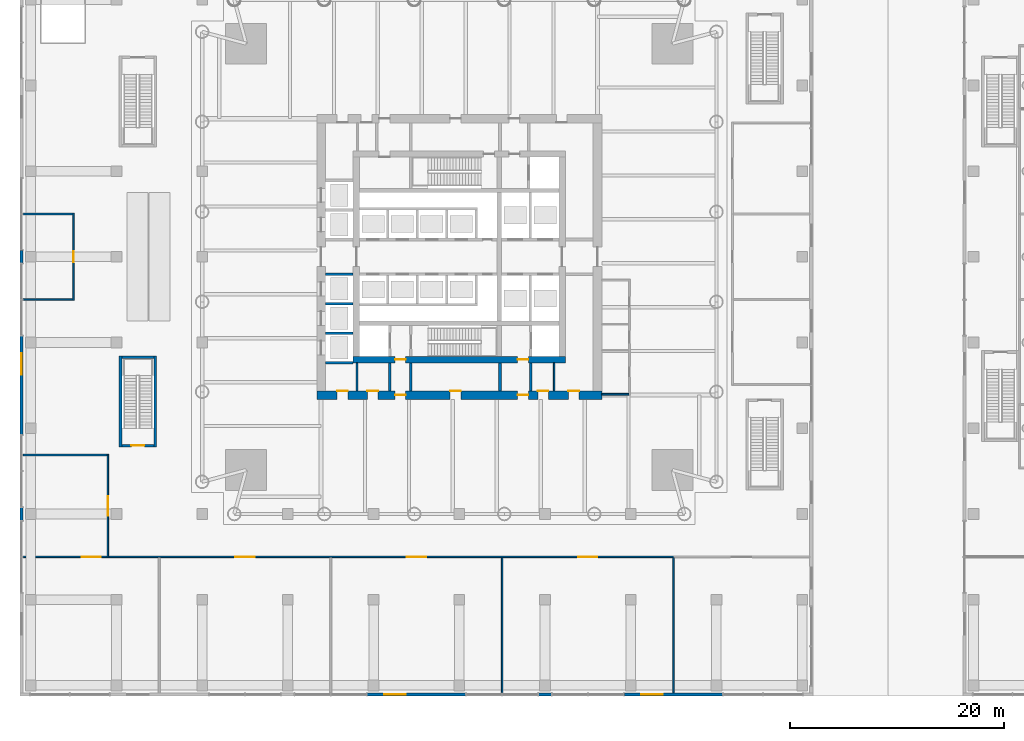
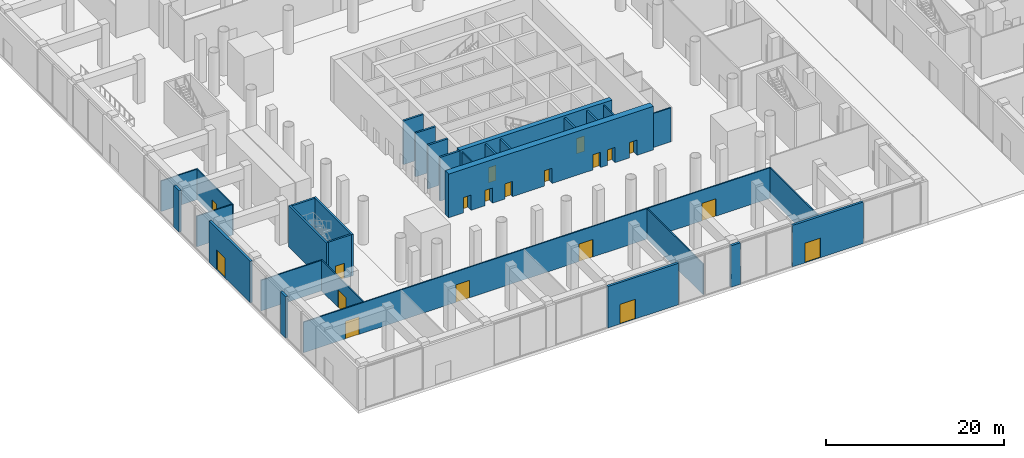
# One storey, part 24 of 39: 31 walls, 19 doors, 19 openings.
"""IFC4 building model written with IfcOpenShell, lengths in metres."""

import ifcopenshell
import ifcopenshell.guid

model = None  # the IFC model being written
_history = None  # IfcOwnerHistory: only IFC2X3 demands one
_inside = {}  # id of a spatial element -> (the spatial element, [elements in it])
_under = {}  # id of a project, library or spatial element -> (it, [spatial elements below it])
_declared = {}  # id of a project -> (the project, [libraries it declares])
_typed = {}  # id of a type object -> (the type object, [elements of that type])
_made_of = {}  # id of a material, layer set ... -> (it, [elements and type objects made of it])


def new_model(schema):
    """Start an empty IFC model of exactly this schema.

    Asked for "IFC4X3", IfcOpenShell would pick the latest addendum, in which some entities
    have other attributes; the version numbers below select the first issue.
    IFC2X3 requires an IfcOwnerHistory on every rooted entity: one is made here for all.
    """
    global model, _history
    if schema == "IFC4X3":
        model = ifcopenshell.file(schema_version=(4, 3, 0, 0))
    else:
        model = ifcopenshell.file(schema=schema)
    _inside.clear()
    _under.clear()
    _declared.clear()
    _typed.clear()
    _made_of.clear()
    _history = None
    if model.schema == "IFC2X3":
        org = make("IfcOrganization", Name="unknown")
        user = make(
            "IfcPersonAndOrganization",
            ThePerson=make("IfcPerson", FamilyName="unknown"),
            TheOrganization=org,
        )
        app = make(
            "IfcApplication",
            ApplicationDeveloper=org,
            Version="unknown",
            ApplicationFullName="unknown",
            ApplicationIdentifier="unknown",
        )
        _history = make(
            "IfcOwnerHistory",
            OwningUser=user,
            OwningApplication=app,
            ChangeAction="ADDED",
            CreationDate=0,
        )
    return model


def make(cls, **values):
    """One entity of the class cls with the attributes given. An attribute that is None is left unset."""
    return model.create_entity(
        cls, **{name: value for name, value in values.items() if value is not None}
    )


def rooted(cls, **values):
    """An entity with a GlobalId (a new one), such as an element, a storey or a relation."""
    return make(cls, GlobalId=ifcopenshell.guid.new(), OwnerHistory=_history, **values)


def si_unit(unit_type, name, prefix=None):
    """IfcSIUnit, for example si_unit("LENGTHUNIT", "METRE", prefix="MILLI")."""
    return make("IfcSIUnit", UnitType=unit_type, Prefix=prefix, Name=name)


def assignment(units):
    """IfcUnitAssignment: the units of a project."""
    return None if units is None else make("IfcUnitAssignment", Units=units)


def point(xyz):
    """IfcCartesianPoint."""
    return None if xyz is None else make("IfcCartesianPoint", Coordinates=xyz)


def direction(xyz):
    """IfcDirection."""
    return None if xyz is None else make("IfcDirection", DirectionRatios=xyz)


def frame(location, z_axis=None, x_axis=None):
    """IfcAxis2Placement3D, a coordinate frame: its origin and axes. An axis left out is left unset."""
    return make(
        "IfcAxis2Placement3D",
        Location=point(location),
        Axis=direction(z_axis),
        RefDirection=direction(x_axis),
    )


def frame_2d(location, x_axis=None):
    """IfcAxis2Placement2D, a coordinate frame in the plane: its origin and x axis."""
    return make(
        "IfcAxis2Placement2D", Location=point(location), RefDirection=direction(x_axis)
    )


def origin():
    """The frame at (0, 0, 0) with its axes left unset."""
    return frame((0.0, 0.0, 0.0))


def place(relative_to, where):
    """IfcLocalPlacement: puts the frame where relative to a parent placement (None: the world)."""
    return make(
        "IfcLocalPlacement", PlacementRelTo=relative_to, RelativePlacement=where
    )


def context(
    kind, dimensions, precision=None, world=None, true_north=None, identifier=None
):
    """IfcGeometricRepresentationContext, for example the 3D "Model" context."""
    return make(
        "IfcGeometricRepresentationContext",
        ContextIdentifier=identifier,
        ContextType=kind,
        CoordinateSpaceDimension=dimensions,
        Precision=precision,
        WorldCoordinateSystem=world,
        TrueNorth=true_north,
    )


def subcontext(parent, identifier, kind, view, scale=None):
    """IfcGeometricRepresentationSubContext, for example "Body" below "Model"."""
    return make(
        "IfcGeometricRepresentationSubContext",
        ContextIdentifier=identifier,
        ContextType=kind,
        ParentContext=parent,
        TargetScale=scale,
        TargetView=view,
    )


def project(units=None, contexts=None):
    """IfcProject with its units and contexts."""
    return rooted(
        "IfcProject",
        Name="project",
        RepresentationContexts=contexts,
        UnitsInContext=assignment(units),
    )


def spatial(cls, under=None, at=None, **own):
    """A site, building, storey or space (cls), placed at a placement, below another one or the project."""
    s = rooted(cls, ObjectPlacement=at, **own)
    if under is not None:
        _under.setdefault(under.id(), (under, []))[1].append(s)
    return s


def profile(cls, at=None, kind="AREA", **sizes):
    """A parametric profile (cls). Its sizes go by their IFC names, for example OverallWidth=200.0."""
    return make(cls, ProfileType=kind, Position=at, **sizes)


def rectangle(**sizes):
    """IfcRectangleProfileDef."""
    return profile("IfcRectangleProfileDef", **sizes)


def extrude(swept, where, along, depth):
    """IfcExtrudedAreaSolid: the profile swept, set in the frame where, extruded along a direction by depth."""
    return make(
        "IfcExtrudedAreaSolid",
        SweptArea=swept,
        Position=where,
        ExtrudedDirection=direction(along),
        Depth=depth,
    )


def shape(context_of_items, identifier, shape_type, items):
    """IfcShapeRepresentation: the items that make up one representation, for example the "Body"."""
    return make(
        "IfcShapeRepresentation",
        ContextOfItems=context_of_items,
        RepresentationIdentifier=identifier,
        RepresentationType=shape_type,
        Items=items,
    )


def material(Name=None, Category=None):
    """IfcMaterial."""
    return make("IfcMaterial", Name=Name, Category=Category)


def layer(
    of_material, thickness, ventilated=None, Name=None, Category=None, Priority=None
):
    """IfcMaterialLayer: one layer of a wall or slab, of a material (None: an air gap)."""
    return make(
        "IfcMaterialLayer",
        Material=of_material,
        LayerThickness=thickness,
        IsVentilated=ventilated,
        Name=Name,
        Category=Category,
        Priority=Priority,
    )


def layer_set(layers, Name=None):
    """IfcMaterialLayerSet."""
    return make("IfcMaterialLayerSet", MaterialLayers=layers, LayerSetName=Name)


def made_of(thing, what):
    """Note that an element or type object is made of a material, layer set ...; save() writes the relation."""
    if what is not None:
        _made_of.setdefault(what.id(), (what, []))[1].append(thing)
    return thing


def type_object(cls, material=None, **own):
    """A type object (cls), such as IfcWallType, which elements share."""
    return made_of(rooted(cls, **own), material)


def element(
    cls,
    number,
    at=None,
    inside=None,
    cuts=None,
    type_object=None,
    material=None,
    context=None,
    identifier="Body",
    shape_type=None,
    held_by="IfcProductDefinitionShape",
    body=None,
    shapes=None,
    **own,
):
    """One element of the class cls, such as IfcWall. Its Tag is "e" and its number.

    at: its placement. inside: the storey or other place that contains it. cuts: it is an
    opening in that element (IfcRelVoidsElement). A single representation is given by context,
    identifier, shape_type and body (its items); several are given by shapes. held_by: the class
    of the entity that holds the representations. save() writes the other relations.
    """
    e = rooted(cls, Tag="e%d" % number, ObjectPlacement=at, **own)
    if body is not None:
        shapes = [shape(context, identifier, shape_type, body)]
    if shapes is not None:
        e.Representation = make(held_by, Representations=shapes)
    if inside is not None:
        _inside.setdefault(inside.id(), (inside, []))[1].append(e)
    if cuts is not None:
        rooted(
            "IfcRelVoidsElement", RelatingBuildingElement=cuts, RelatedOpeningElement=e
        )
    if type_object is not None:
        _typed.setdefault(type_object.id(), (type_object, []))[1].append(e)
    return made_of(e, material)


def fill(opening, filler):
    """IfcRelFillsElement: the door or window that sits in an opening."""
    return rooted(
        "IfcRelFillsElement",
        RelatingOpeningElement=opening,
        RelatedBuildingElement=filler,
    )


def aggregate(whole, parts):
    """IfcRelAggregates: a whole, such as a stair, and the parts it consists of."""
    return rooted("IfcRelAggregates", RelatingObject=whole, RelatedObjects=parts)


def save(model, path):
    """Write the relations noted so far, then the file.

    IfcRelAggregates (storeys below a building ...), IfcRelContainedInSpatialStructure (elements
    in a storey), IfcRelDefinesByType, IfcRelAssociatesMaterial and IfcRelDeclares: one each for
    every whole, place, type object, material and project.
    """
    for whole, parts in _under.values():
        aggregate(whole, parts)
    for where, things in _inside.values():
        rooted(
            "IfcRelContainedInSpatialStructure",
            RelatedElements=things,
            RelatingStructure=where,
        )
    for kind, things in _typed.values():
        rooted("IfcRelDefinesByType", RelatedObjects=things, RelatingType=kind)
    for what, things in _made_of.values():
        rooted("IfcRelAssociatesMaterial", RelatedObjects=things, RelatingMaterial=what)
    for by, libraries in _declared.values():
        rooted("IfcRelDeclares", RelatingContext=by, RelatedDefinitions=libraries)
    model.write(path)


model = new_model("IFC4")

# Units and contexts
model_context = context("Model", 3, precision=1e-05, world=origin(), true_north=direction((0.0, 1.0)))
body_context = subcontext(model_context, "Body", "Model", "MODEL_VIEW")
ifc_project = project(units=[si_unit("LENGTHUNIT", "METRE"), si_unit("AREAUNIT", "SQUARE_METRE"), si_unit("VOLUMEUNIT", "CUBIC_METRE"), si_unit("PLANEANGLEUNIT", "RADIAN"), si_unit("MASSUNIT", "GRAM", prefix="KILO")], contexts=[model_context])

# Site, building, storey
site_placement = place(None, origin())
site = spatial("IfcSite", under=ifc_project, at=site_placement, CompositionType="ELEMENT")
building_placement = place(site_placement, origin())
building = spatial("IfcBuilding", under=site, at=building_placement, Name="Ostroluk Exchange", CompositionType="ELEMENT")
storey_placement = place(building_placement, origin())
storey = spatial("IfcBuildingStorey", under=building, at=storey_placement, Name="L00", CompositionType="ELEMENT", Elevation=0.0)

# Walls
ifc_material_1 = material(Name="Concrete blockwork", Category="masonry")
ifc_layer_1 = layer(ifc_material_1, 0.14990234375)
ifc_layer_set_1 = layer_set([ifc_layer_1], Name="Blockwork plant room wall 150")
wall_type_1 = type_object("IfcWallType", Name="Blockwork plant room wall 150", PredefinedType="SOLIDWALL", material=ifc_layer_set_1)
for number, where, z_axis, x_axis, name in (
    (1, (35.449951171875, 33.5, 0.0), (0.0, 0.0, 1.0), (0.0, 1.0, 0.0), "Core room wall"),
    (2, (53.85205078125, 33.5, 0.0), (0.0, 0.0, 1.0), (0.0, 1.0, 0.0), "Core room wall"),
):
    element("IfcWall", number, at=place(storey_placement, frame(where, z_axis=z_axis, x_axis=x_axis)), inside=storey, type_object=wall_type_1, Name=name, PredefinedType="SOLIDWALL", context=body_context, shape_type="SweptSolid", body=[
        extrude(rectangle(XDim=2.60009765625, YDim=0.14990234375, at=frame_2d((1.300048828125, 0.0))), origin(), (0.0, 0.0, 1.0), 5.699951171875),
    ])
ifc_material_2 = material(Name="Concrete blockwork", Category="masonry")
ifc_layer_2 = layer(ifc_material_2, 0.25)
ifc_layer_set_2 = layer_set([ifc_layer_2], Name="Blockwork stair enclosure wall 250")
wall_type_2 = type_object("IfcWallType", Name="Blockwork stair enclosure wall 250", PredefinedType="SOLIDWALL", material=ifc_layer_set_2)
for number, where, z_axis, x_axis, name in (
    (3, (38.52490234375, 33.5, 0.0), (0.0, 0.0, 1.0), (0.0, 1.0, 0.0), "Fire lobby enclosure wall"),
    (4, (40.47509765625, 33.5, 0.0), (0.0, 0.0, 1.0), (0.0, 1.0, 0.0), "Fire lobby enclosure wall"),
    (5, (48.804931640625, 33.5, 0.0), (0.0, 0.0, 1.0), (0.0, 1.0, 0.0), "Service lobby enclosure wall"),
    (6, (51.675048828125, 33.5, 0.0), (0.0, 0.0, 1.0), (0.0, 1.0, 0.0), "Service lobby enclosure wall"),
):
    element("IfcWall", number, at=place(storey_placement, frame(where, z_axis=z_axis, x_axis=x_axis)), inside=storey, type_object=wall_type_2, Name=name, PredefinedType="SOLIDWALL", context=body_context, shape_type="SweptSolid", body=[
        extrude(rectangle(XDim=2.60009765625, YDim=0.25, at=frame_2d((1.300048828125, 0.0))), origin(), (0.0, 0.0, 1.0), 5.699951171875),
    ])
for number, where, z_axis, x_axis, name in (
    (7, (13.375, 28.25, 0.0), (0.0, 0.0, 1.0), (0.0, 1.0, 0.0), "Stair PS1 enclosure wall"),
    (8, (16.625, 28.25, 0.0), (0.0, 0.0, 1.0), (0.0, 1.0, 0.0), "Stair PS1 enclosure wall"),
):
    element("IfcWall", number, at=place(storey_placement, frame(where, z_axis=z_axis, x_axis=x_axis)), inside=storey, type_object=wall_type_2, Name=name, PredefinedType="SOLIDWALL", context=body_context, shape_type="SweptSolid", body=[
        extrude(rectangle(XDim=8.5, YDim=0.25, at=frame_2d((4.25, 0.0))), origin(), (0.0, 0.0, 1.0), 5.699951171875),
    ])

# Wall, opening, door
wall_1_placement = place(storey_placement, frame((13.5, 28.375, 0.0), z_axis=(0.0, 0.0, 1.0), x_axis=(1.0, 0.0, 0.0)))
wall_1 = element("IfcWall", 9, at=wall_1_placement, inside=storey, type_object=wall_type_2, Name="Stair PS1 enclosure wall", PredefinedType="SOLIDWALL", context=body_context, shape_type="SweptSolid", body=[
    extrude(rectangle(XDim=3.0, YDim=0.25, at=frame_2d((1.5, 0.0))), origin(), (0.0, 0.0, 1.0), 5.699951171875),
])
opening_1_placement = place(wall_1_placement, frame((0.89990234375, 0.0, 0.0)))
opening_1 = element("IfcOpeningElement", 10, at=opening_1_placement, cuts=wall_1, Name="Opening FD60S", PredefinedType="OPENING", context=body_context, shape_type="SweptSolid", body=[
    extrude(rectangle(XDim=1.199951171875, YDim=2.10009765625, at=frame_2d((0.60009765625, 1.050048828125))), frame((0.0, 0.135009765625, 0.0), z_axis=(0.0, -1.0, 0.0), x_axis=(1.0, 0.0, 0.0)), (0.0, 0.0, 1.0), 0.27001953125),
])
ifc_material_3 = material(Name="Steel", Category="steel")
door_type_1 = type_object("IfcDoorType", Name="Stair door EI 60 1200 x 2100", OperationType="SINGLE_SWING_LEFT", PredefinedType="DOOR", material=ifc_material_3)
door_1_placement = place(opening_1_placement, origin())
door_1 = element("IfcDoor", 11, at=door_1_placement, inside=storey, type_object=door_type_1, Name="Stair PS1 door", OperationType="SINGLE_SWING_LEFT", OverallHeight=2.10009765625, OverallWidth=1.199951171875, PredefinedType="DOOR", context=body_context, shape_type="SweptSolid", body=[
    extrude(rectangle(XDim=1.199951171875, YDim=2.10009765625, at=frame_2d((0.60009765625, 1.050048828125))), frame((0.0, 0.02490234375, 0.0), z_axis=(0.0, -1.0, 0.0), x_axis=(1.0, 0.0, 0.0)), (0.0, 0.0, 1.0), 0.050048828125),
])
fill(opening_1, door_1)

# Walls
wall_2_placement = place(storey_placement, frame((13.5, 36.625, 0.0), z_axis=(0.0, 0.0, 1.0), x_axis=(1.0, 0.0, 0.0)))
element("IfcWall", 12, at=wall_2_placement, inside=storey, type_object=wall_type_2, Name="Stair PS1 enclosure wall", PredefinedType="SOLIDWALL", context=body_context, shape_type="SweptSolid", body=[
    extrude(rectangle(XDim=3.0, YDim=0.25, at=frame_2d((1.5, 0.0))), origin(), (0.0, 0.0, 1.0), 5.699951171875),
])
ifc_material_4 = material(Name="Concrete C40/50", Category="concrete")
ifc_layer_3 = layer(ifc_material_4, 0.25)
ifc_layer_set_3 = layer_set([ifc_layer_3], Name="Core shaft wall 250")
wall_type_3 = type_object("IfcWallType", Name="Core shaft wall 250", PredefinedType="SHEAR", material=ifc_layer_set_3)
for number, where, z_axis, x_axis, name in (
    (13, (32.5, 36.125, 0.0), (0.0, 0.0, 1.0), (1.0, 0.0, 0.0), "Lift shaft wall"),
    (14, (32.5, 38.875, 0.0), (0.0, 0.0, 1.0), (1.0, 0.0, 0.0), "Lift shaft wall"),
    (15, (32.5, 41.625, 0.0), (0.0, 0.0, 1.0), (1.0, 0.0, 0.0), "Lift shaft wall"),
    (16, (32.5, 44.375, 0.0), (0.0, 0.0, 1.0), (1.0, 0.0, 0.0), "Lift shaft wall"),
):
    element("IfcWall", number, at=place(storey_placement, frame(where, z_axis=z_axis, x_axis=x_axis)), inside=storey, type_object=wall_type_3, Name=name, PredefinedType="SHEAR", context=body_context, shape_type="SweptSolid", body=[
        extrude(rectangle(XDim=2.60009765625, YDim=0.25, at=frame_2d((1.300048828125, 0.0))), origin(), (0.0, 0.0, 1.0), 6.0),
    ])

# Wall, openings, doors
ifc_material_5 = material(Name="Concrete C50/60", Category="concrete")
ifc_layer_4 = layer(ifc_material_5, 0.60009765625)
ifc_layer_set_4 = layer_set([ifc_layer_4], Name="Core wall 600 C50/60")
wall_type_4 = type_object("IfcWallType", Name="Core wall 600 C50/60", PredefinedType="SHEAR", material=ifc_layer_set_4)
wall_3_placement = place(storey_placement, frame((35.10009765625, 36.39990234375, 0.0), z_axis=(0.0, 0.0, 1.0), x_axis=(1.0, 0.0, 0.0)))
wall_3 = element("IfcWall", 17, at=wall_3_placement, inside=storey, type_object=wall_type_4, Name="T1 core wall S", PredefinedType="SHEAR", context=body_context, shape_type="SweptSolid", body=[
    extrude(rectangle(XDim=19.7998046875, YDim=0.60009765625, at=frame_2d((9.89990234375, 0.0))), origin(), (0.0, 0.0, 1.0), 6.0),
])
opening_2_placement = place(wall_3_placement, frame((3.89990234375, 0.0, 0.0)))
opening_2 = element("IfcOpeningElement", 18, at=opening_2_placement, cuts=wall_3, Name="Opening FD60", PredefinedType="OPENING", context=body_context, shape_type="SweptSolid", body=[
    extrude(rectangle(XDim=1.0, YDim=2.10009765625, at=frame_2d((0.5, 1.050048828125))), frame((0.0, 0.31005859375, 0.0), z_axis=(0.0, -1.0, 0.0), x_axis=(1.0, 0.0, 0.0)), (0.0, 0.0, 1.0), 0.6201171875),
])
opening_3_placement = place(wall_3_placement, frame((15.35009765625, 0.0, 0.0)))
opening_3 = element("IfcOpeningElement", 19, at=opening_3_placement, cuts=wall_3, Name="Opening FD60", PredefinedType="OPENING", context=body_context, shape_type="SweptSolid", body=[
    extrude(rectangle(XDim=1.0, YDim=2.10009765625, at=frame_2d((0.5, 1.050048828125))), frame((0.0, 0.31005859375, 0.0), z_axis=(0.0, -1.0, 0.0), x_axis=(1.0, 0.0, 0.0)), (0.0, 0.0, 1.0), 0.6201171875),
])
ifc_material_6 = material(Name="Steel", Category="steel")
door_type_2 = type_object("IfcDoorType", Name="Fire door EI 60 1000 x 2100", OperationType="SINGLE_SWING_LEFT", PredefinedType="DOOR", material=ifc_material_6)
door_2_placement = place(opening_2_placement, origin())
door_2 = element("IfcDoor", 20, at=door_2_placement, inside=storey, type_object=door_type_2, Name="Firefighting lobby door", OperationType="SINGLE_SWING_LEFT", OverallHeight=2.10009765625, OverallWidth=1.0, PredefinedType="DOOR", context=body_context, shape_type="SweptSolid", body=[
    extrude(rectangle(XDim=1.0, YDim=2.10009765625, at=frame_2d((0.5, 1.050048828125))), frame((0.0, 0.02490234375, 0.0), z_axis=(0.0, -1.0, 0.0), x_axis=(1.0, 0.0, 0.0)), (0.0, 0.0, 1.0), 0.050048828125),
])
fill(opening_2, door_2)
door_3_placement = place(opening_3_placement, origin())
door_3 = element("IfcDoor", 21, at=door_3_placement, inside=storey, type_object=door_type_2, Name="Service lobby door", OperationType="SINGLE_SWING_RIGHT", OverallHeight=2.10009765625, OverallWidth=1.0, PredefinedType="DOOR", context=body_context, shape_type="SweptSolid", body=[
    extrude(rectangle(XDim=1.0, YDim=2.10009765625, at=frame_2d((0.5, 1.050048828125))), frame((0.0, 0.02490234375, 0.0), z_axis=(0.0, -1.0, 0.0), x_axis=(1.0, 0.0, 0.0)), (0.0, 0.0, 1.0), 0.050048828125),
])
fill(opening_3, door_3)

ifc_material_7 = material(Name="Concrete C50/60", Category="concrete")
ifc_layer_5 = layer(ifc_material_7, 0.800048828125)
ifc_layer_set_5 = layer_set([ifc_layer_5], Name="Core wall 800 C50/60")
wall_type_5 = type_object("IfcWallType", Name="Core wall 800 C50/60", PredefinedType="SHEAR", material=ifc_layer_set_5)
wall_4_placement = place(storey_placement, frame((31.699951171875, 33.10009765625, 0.0), z_axis=(0.0, 0.0, 1.0), x_axis=(1.0, 0.0, 0.0)))
wall_4 = element("IfcWall", 22, at=wall_4_placement, inside=storey, type_object=wall_type_5, Name="T1 core wall RS", PredefinedType="SHEAR", context=body_context, shape_type="SweptSolid", body=[
    extrude(rectangle(XDim=26.60009765625, YDim=0.800048828125, at=frame_2d((13.300048828125, 0.0))), origin(), (0.0, 0.0, 1.0), 6.0),
])
opening_4_placement = place(wall_4_placement, frame((7.300048828125, 0.0, 0.0)))
opening_4 = element("IfcOpeningElement", 23, at=opening_4_placement, cuts=wall_4, Name="Opening FD60", PredefinedType="OPENING", context=body_context, shape_type="SweptSolid", body=[
    extrude(rectangle(XDim=1.0, YDim=2.10009765625, at=frame_2d((0.5, 1.050048828125))), frame((0.0, 0.409912109375, 0.0), z_axis=(0.0, -1.0, 0.0), x_axis=(1.0, 0.0, 0.0)), (0.0, 0.0, 1.0), 0.820068359375),
])
opening_5_placement = place(wall_4_placement, frame((18.75, 0.0, 0.0)))
opening_5 = element("IfcOpeningElement", 24, at=opening_5_placement, cuts=wall_4, Name="Opening FD60", PredefinedType="OPENING", context=body_context, shape_type="SweptSolid", body=[
    extrude(rectangle(XDim=1.0, YDim=2.10009765625, at=frame_2d((0.5, 1.050048828125))), frame((0.0, 0.409912109375, 0.0), z_axis=(0.0, -1.0, 0.0), x_axis=(1.0, 0.0, 0.0)), (0.0, 0.0, 1.0), 0.820068359375),
])
opening_6_placement = place(wall_4_placement, frame((1.89990234375, 0.0, 0.0)))
opening_6 = element("IfcOpeningElement", 25, at=opening_6_placement, cuts=wall_4, Name="Opening FD60", PredefinedType="OPENING", context=body_context, shape_type="SweptSolid", body=[
    extrude(rectangle(XDim=1.0, YDim=2.10009765625, at=frame_2d((0.5, 1.050048828125))), frame((0.0, 0.409912109375, 0.0), z_axis=(0.0, -1.0, 0.0), x_axis=(1.0, 0.0, 0.0)), (0.0, 0.0, 1.0), 0.820068359375),
])
opening_7_placement = place(wall_4_placement, frame((4.72509765625, 0.0, 0.0)))
opening_7 = element("IfcOpeningElement", 26, at=opening_7_placement, cuts=wall_4, Name="Opening FD60", PredefinedType="OPENING", context=body_context, shape_type="SweptSolid", body=[
    extrude(rectangle(XDim=1.0, YDim=2.10009765625, at=frame_2d((0.5, 1.050048828125))), frame((0.0, 0.409912109375, 0.0), z_axis=(0.0, -1.0, 0.0), x_axis=(1.0, 0.0, 0.0)), (0.0, 0.0, 1.0), 0.820068359375),
])
opening_8_placement = place(wall_4_placement, frame((12.43994140625, 0.0, 0.0)))
opening_8 = element("IfcOpeningElement", 27, at=opening_8_placement, cuts=wall_4, Name="Opening FD60", PredefinedType="OPENING", context=body_context, shape_type="SweptSolid", body=[
    extrude(rectangle(XDim=1.0, YDim=2.10009765625, at=frame_2d((0.5, 1.050048828125))), frame((0.0, 0.409912109375, 0.0), z_axis=(0.0, -1.0, 0.0), x_axis=(1.0, 0.0, 0.0)), (0.0, 0.0, 1.0), 0.820068359375),
])
opening_9_placement = place(wall_4_placement, frame((20.6259765625, 0.0, 0.0)))
opening_9 = element("IfcOpeningElement", 28, at=opening_9_placement, cuts=wall_4, Name="Opening FD60", PredefinedType="OPENING", context=body_context, shape_type="SweptSolid", body=[
    extrude(rectangle(XDim=1.0, YDim=2.10009765625, at=frame_2d((0.5, 1.050048828125))), frame((0.0, 0.409912109375, 0.0), z_axis=(0.0, -1.0, 0.0), x_axis=(1.0, 0.0, 0.0)), (0.0, 0.0, 1.0), 0.820068359375),
])
opening_10_placement = place(wall_4_placement, frame((23.47607421875, 0.0, 0.0)))
opening_10 = element("IfcOpeningElement", 29, at=opening_10_placement, cuts=wall_4, Name="Opening FD60", PredefinedType="OPENING", context=body_context, shape_type="SweptSolid", body=[
    extrude(rectangle(XDim=1.0, YDim=2.10009765625, at=frame_2d((0.5, 1.050048828125))), frame((0.0, 0.409912109375, 0.0), z_axis=(0.0, -1.0, 0.0), x_axis=(1.0, 0.0, 0.0)), (0.0, 0.0, 1.0), 0.820068359375),
])
door_4_placement = place(opening_4_placement, origin())
door_4 = element("IfcDoor", 30, at=door_4_placement, inside=storey, type_object=door_type_2, Name="Firefighting lobby door", OperationType="SINGLE_SWING_LEFT", OverallHeight=2.10009765625, OverallWidth=1.0, PredefinedType="DOOR", context=body_context, shape_type="SweptSolid", body=[
    extrude(rectangle(XDim=1.0, YDim=2.10009765625, at=frame_2d((0.5, 1.050048828125))), frame((0.0, 0.02490234375, 0.0), z_axis=(0.0, -1.0, 0.0), x_axis=(1.0, 0.0, 0.0)), (0.0, 0.0, 1.0), 0.050048828125),
])
fill(opening_4, door_4)
door_5_placement = place(opening_5_placement, origin())
door_5 = element("IfcDoor", 31, at=door_5_placement, inside=storey, type_object=door_type_2, Name="Service lobby door", OperationType="SINGLE_SWING_RIGHT", OverallHeight=2.10009765625, OverallWidth=1.0, PredefinedType="DOOR", context=body_context, shape_type="SweptSolid", body=[
    extrude(rectangle(XDim=1.0, YDim=2.10009765625, at=frame_2d((0.5, 1.050048828125))), frame((0.0, 0.02490234375, 0.0), z_axis=(0.0, -1.0, 0.0), x_axis=(1.0, 0.0, 0.0)), (0.0, 0.0, 1.0), 0.050048828125),
])
fill(opening_5, door_5)
door_6_placement = place(opening_6_placement, origin())
door_6 = element("IfcDoor", 32, at=door_6_placement, inside=storey, type_object=door_type_2, Name="Store door", OperationType="SINGLE_SWING_LEFT", OverallHeight=2.10009765625, OverallWidth=1.0, PredefinedType="DOOR", context=body_context, shape_type="SweptSolid", body=[
    extrude(rectangle(XDim=1.0, YDim=2.10009765625, at=frame_2d((0.5, 1.050048828125))), frame((0.0, 0.39013671875, 0.0), z_axis=(0.0, -1.0, 0.0), x_axis=(1.0, 0.0, 0.0)), (0.0, 0.0, 1.0), 0.050048828125),
])
fill(opening_6, door_6)
door_7_placement = place(opening_7_placement, origin())
door_7 = element("IfcDoor", 33, at=door_7_placement, inside=storey, type_object=door_type_2, Name="Cleaner's store door", OperationType="SINGLE_SWING_LEFT", OverallHeight=2.10009765625, OverallWidth=1.0, PredefinedType="DOOR", context=body_context, shape_type="SweptSolid", body=[
    extrude(rectangle(XDim=1.0, YDim=2.10009765625, at=frame_2d((0.5, 1.050048828125))), frame((0.0, 0.39013671875, 0.0), z_axis=(0.0, -1.0, 0.0), x_axis=(1.0, 0.0, 0.0)), (0.0, 0.0, 1.0), 0.050048828125),
])
fill(opening_7, door_7)
door_8_placement = place(opening_8_placement, origin())
door_8 = element("IfcDoor", 34, at=door_8_placement, inside=storey, type_object=door_type_2, Name="Security equipment store door", OperationType="SINGLE_SWING_LEFT", OverallHeight=2.10009765625, OverallWidth=1.0, PredefinedType="DOOR", context=body_context, shape_type="SweptSolid", body=[
    extrude(rectangle(XDim=1.0, YDim=2.10009765625, at=frame_2d((0.5, 1.050048828125))), frame((0.0, 0.39013671875, 0.0), z_axis=(0.0, -1.0, 0.0), x_axis=(1.0, 0.0, 0.0)), (0.0, 0.0, 1.0), 0.050048828125),
])
fill(opening_8, door_8)
door_9_placement = place(opening_9_placement, origin())
door_9 = element("IfcDoor", 35, at=door_9_placement, inside=storey, type_object=door_type_2, Name="Store door", OperationType="SINGLE_SWING_RIGHT", OverallHeight=2.10009765625, OverallWidth=1.0, PredefinedType="DOOR", context=body_context, shape_type="SweptSolid", body=[
    extrude(rectangle(XDim=1.0, YDim=2.10009765625, at=frame_2d((0.5, 1.050048828125))), frame((0.0, 0.39013671875, 0.0), z_axis=(0.0, -1.0, 0.0), x_axis=(1.0, 0.0, 0.0)), (0.0, 0.0, 1.0), 0.050048828125),
])
fill(opening_9, door_9)
door_10_placement = place(opening_10_placement, origin())
door_10 = element("IfcDoor", 36, at=door_10_placement, inside=storey, type_object=door_type_2, Name="Cleaner's store door", OperationType="SINGLE_SWING_RIGHT", OverallHeight=2.10009765625, OverallWidth=1.0, PredefinedType="DOOR", context=body_context, shape_type="SweptSolid", body=[
    extrude(rectangle(XDim=1.0, YDim=2.10009765625, at=frame_2d((0.5, 1.050048828125))), frame((0.0, 0.39013671875, 0.0), z_axis=(0.0, -1.0, 0.0), x_axis=(1.0, 0.0, 0.0)), (0.0, 0.0, 1.0), 0.050048828125),
])
fill(opening_10, door_10)

# Wall, opening, door
ifc_material_8 = material(Name="Limestone", Category="masonry")
ifc_layer_6 = layer(ifc_material_8, 0.300048828125)
ifc_layer_set_6 = layer_set([ifc_layer_6], Name="Limestone facade wall 300")
wall_type_6 = type_object("IfcWallType", Name="Limestone facade wall 300", PredefinedType="SOLIDWALL", material=ifc_layer_set_6)
wall_5_placement = place(storey_placement, frame((36.39990234375, 5.14990234375, 0.0), z_axis=(0.0, 0.0, 1.0), x_axis=(1.0, 0.0, 0.0)))
wall_5 = element("IfcWall", 37, at=wall_5_placement, inside=storey, type_object=wall_type_6, Name="Podium west S wall L00 4a", PredefinedType="SOLIDWALL", context=body_context, shape_type="SweptSolid", body=[
    extrude(rectangle(XDim=9.2001953125, YDim=0.300048828125, at=frame_2d((4.60009765625, 0.0))), origin(), (0.0, 0.0, 1.0), 5.699951171875),
])
opening_11_placement = place(wall_5_placement, frame((1.60009765625, 0.0, 0.0)))
opening_11 = element("IfcOpeningElement", 38, at=opening_11_placement, cuts=wall_5, Name="Opening D-E1", PredefinedType="OPENING", context=body_context, shape_type="SweptSolid", body=[
    extrude(rectangle(XDim=2.0, YDim=2.699951171875, at=frame_2d((1.0, 1.35009765625))), frame((0.0, 0.159912109375, 0.0), z_axis=(0.0, -1.0, 0.0), x_axis=(1.0, 0.0, 0.0)), (0.0, 0.0, 1.0), 0.320068359375),
])
ifc_material_9 = material(Name="Bronze framed glazed door", Category="aluminium")
door_type_3 = type_object("IfcDoorType", Name="Entrance double door 2000 x 2700", OperationType="DOUBLE_DOOR_SINGLE_SWING", PredefinedType="DOOR", material=ifc_material_9)
door_11_placement = place(opening_11_placement, origin())
door_11 = element("IfcDoor", 39, at=door_11_placement, inside=storey, type_object=door_type_3, Name="Podium west entrance S 5", OperationType="DOUBLE_DOOR_SINGLE_SWING", OverallHeight=2.699951171875, OverallWidth=2.0, PredefinedType="DOOR", context=body_context, shape_type="SweptSolid", body=[
    extrude(rectangle(XDim=2.0, YDim=2.699951171875, at=frame_2d((1.0, 1.35009765625))), frame((0.0, 0.02490234375, 0.0), z_axis=(0.0, -1.0, 0.0), x_axis=(1.0, 0.0, 0.0)), (0.0, 0.0, 1.0), 0.050048828125),
])
fill(opening_11, door_11)

# Wall
wall_6_placement = place(storey_placement, frame((52.39990234375, 5.14990234375, 0.0), z_axis=(0.0, 0.0, 1.0), x_axis=(1.0, 0.0, 0.0)))
element("IfcWall", 40, at=wall_6_placement, inside=storey, type_object=wall_type_6, Name="Podium west S wall L00 5a", PredefinedType="SOLIDWALL", context=body_context, shape_type="SweptSolid", body=[
    extrude(rectangle(XDim=1.2001953125, YDim=0.300048828125, at=frame_2d((0.60009765625, 0.0))), origin(), (0.0, 0.0, 1.0), 5.699951171875),
])

# Wall, opening, door
wall_7_placement = place(storey_placement, frame((60.39990234375, 5.14990234375, 0.0), z_axis=(0.0, 0.0, 1.0), x_axis=(1.0, 0.0, 0.0)))
wall_7 = element("IfcWall", 41, at=wall_7_placement, inside=storey, type_object=wall_type_6, Name="Podium west S wall L00 6a", PredefinedType="SOLIDWALL", context=body_context, shape_type="SweptSolid", body=[
    extrude(rectangle(XDim=9.2001953125, YDim=0.300048828125, at=frame_2d((4.60009765625, 0.0))), origin(), (0.0, 0.0, 1.0), 5.699951171875),
])
opening_12_placement = place(wall_7_placement, frame((1.60009765625, 0.0, 0.0)))
opening_12 = element("IfcOpeningElement", 42, at=opening_12_placement, cuts=wall_7, Name="Opening D-E1", PredefinedType="OPENING", context=body_context, shape_type="SweptSolid", body=[
    extrude(rectangle(XDim=2.0, YDim=2.699951171875, at=frame_2d((1.0, 1.35009765625))), frame((0.0, 0.159912109375, 0.0), z_axis=(0.0, -1.0, 0.0), x_axis=(1.0, 0.0, 0.0)), (0.0, 0.0, 1.0), 0.320068359375),
])
door_12_placement = place(opening_12_placement, origin())
door_12 = element("IfcDoor", 43, at=door_12_placement, inside=storey, type_object=door_type_3, Name="Podium west entrance S 8", OperationType="DOUBLE_DOOR_SINGLE_SWING", OverallHeight=2.699951171875, OverallWidth=2.0, PredefinedType="DOOR", context=body_context, shape_type="SweptSolid", body=[
    extrude(rectangle(XDim=2.0, YDim=2.699951171875, at=frame_2d((1.0, 1.35009765625))), frame((0.0, 0.02490234375, 0.0), z_axis=(0.0, -1.0, 0.0), x_axis=(1.0, 0.0, 0.0)), (0.0, 0.0, 1.0), 0.050048828125),
])
fill(opening_12, door_12)

# Wall
wall_8_placement = place(storey_placement, frame((4.14990234375, 46.60009765625, 0.0), z_axis=(0.0, 0.0, 1.0), x_axis=(0.0, -1.0, 0.0)))
element("IfcWall", 44, at=wall_8_placement, inside=storey, type_object=wall_type_6, Name="Podium west W wall L00 5a", PredefinedType="SOLIDWALL", context=body_context, shape_type="SweptSolid", body=[
    extrude(rectangle(XDim=1.2001953125, YDim=0.300048828125, at=frame_2d((0.60009765625, 0.0))), origin(), (0.0, 0.0, 1.0), 5.699951171875),
])

# Wall, opening, door
wall_9_placement = place(storey_placement, frame((4.14990234375, 38.60009765625, 0.0), z_axis=(0.0, 0.0, 1.0), x_axis=(0.0, -1.0, 0.0)))
wall_9 = element("IfcWall", 45, at=wall_9_placement, inside=storey, type_object=wall_type_6, Name="Podium west W wall L00 6a", PredefinedType="SOLIDWALL", context=body_context, shape_type="SweptSolid", body=[
    extrude(rectangle(XDim=9.2001953125, YDim=0.300048828125, at=frame_2d((4.60009765625, 0.0))), origin(), (0.0, 0.0, 1.0), 5.699951171875),
])
opening_13_placement = place(wall_9_placement, frame((1.60009765625, 0.0, 0.0)))
opening_13 = element("IfcOpeningElement", 46, at=opening_13_placement, cuts=wall_9, Name="Opening D-E1", PredefinedType="OPENING", context=body_context, shape_type="SweptSolid", body=[
    extrude(rectangle(XDim=2.0, YDim=2.699951171875, at=frame_2d((1.0, 1.35009765625))), frame((0.0, 0.159912109375, 0.0), z_axis=(0.0, -1.0, 0.0), x_axis=(1.0, 0.0, 0.0)), (0.0, 0.0, 1.0), 0.320068359375),
])
door_13_placement = place(opening_13_placement, origin())
door_13 = element("IfcDoor", 47, at=door_13_placement, inside=storey, type_object=door_type_3, Name="Podium west entrance W 8", OperationType="DOUBLE_DOOR_SINGLE_SWING", OverallHeight=2.699951171875, OverallWidth=2.0, PredefinedType="DOOR", context=body_context, shape_type="SweptSolid", body=[
    extrude(rectangle(XDim=2.0, YDim=2.699951171875, at=frame_2d((1.0, 1.35009765625))), frame((0.0, 0.02490234375, 0.0), z_axis=(0.0, -1.0, 0.0), x_axis=(1.0, 0.0, 0.0)), (0.0, 0.0, 1.0), 0.050048828125),
])
fill(opening_13, door_13)

# Wall
wall_10_placement = place(storey_placement, frame((4.14990234375, 22.60009765625, 0.0), z_axis=(0.0, 0.0, 1.0), x_axis=(0.0, -1.0, 0.0)))
element("IfcWall", 48, at=wall_10_placement, inside=storey, type_object=wall_type_6, Name="Podium west W wall L00 7a", PredefinedType="SOLIDWALL", context=body_context, shape_type="SweptSolid", body=[
    extrude(rectangle(XDim=1.2001953125, YDim=0.300048828125, at=frame_2d((0.60009765625, 0.0))), origin(), (0.0, 0.0, 1.0), 5.699951171875),
])

# Wall, openings, doors
ifc_material_10 = material(Name="Gypsum plasterboard partition", Category="gypsum")
ifc_layer_7 = layer(ifc_material_10, 0.14990234375)
ifc_layer_set_7 = layer_set([ifc_layer_7], Name="Plasterboard partition 150")
wall_type_7 = type_object("IfcWallType", Name="Plasterboard partition 150", PredefinedType="PARTITIONING", material=ifc_layer_set_7)
wall_11_placement = place(storey_placement, frame((4.300048828125, 18.0, 0.0), z_axis=(0.0, 0.0, 1.0), x_axis=(1.0, 0.0, 0.0)))
wall_11 = element("IfcWall", 49, at=wall_11_placement, inside=storey, type_object=wall_type_7, Name="Partition", PredefinedType="PARTITIONING", context=body_context, shape_type="SweptSolid", body=[
    extrude(rectangle(XDim=60.77490234375, YDim=0.14990234375, at=frame_2d((30.387451171875, 0.0))), origin(), (0.0, 0.0, 1.0), 4.199951171875),
])
opening_14_placement = place(wall_11_placement, frame((5.449951171875, 0.0, 0.0)))
opening_14 = element("IfcOpeningElement", 50, at=opening_14_placement, cuts=wall_11, Name="Opening D-04", PredefinedType="OPENING", context=body_context, shape_type="SweptSolid", body=[
    extrude(rectangle(XDim=1.800048828125, YDim=2.39990234375, at=frame_2d((0.89990234375, 1.199951171875))), frame((0.0, 0.0849609375, 0.0), z_axis=(0.0, -1.0, 0.0), x_axis=(1.0, 0.0, 0.0)), (0.0, 0.0, 1.0), 0.169921875),
])
opening_15_placement = place(wall_11_placement, frame((19.800048828125, 0.0, 0.0)))
opening_15 = element("IfcOpeningElement", 51, at=opening_15_placement, cuts=wall_11, Name="Opening D-04", PredefinedType="OPENING", context=body_context, shape_type="SweptSolid", body=[
    extrude(rectangle(XDim=1.800048828125, YDim=2.39990234375, at=frame_2d((0.89990234375, 1.199951171875))), frame((0.0, 0.0849609375, 0.0), z_axis=(0.0, -1.0, 0.0), x_axis=(1.0, 0.0, 0.0)), (0.0, 0.0, 1.0), 0.169921875),
])
opening_16_placement = place(wall_11_placement, frame((35.800048828125, 0.0, 0.0)))
opening_16 = element("IfcOpeningElement", 52, at=opening_16_placement, cuts=wall_11, Name="Opening D-04", PredefinedType="OPENING", context=body_context, shape_type="SweptSolid", body=[
    extrude(rectangle(XDim=1.800048828125, YDim=2.39990234375, at=frame_2d((0.89990234375, 1.199951171875))), frame((0.0, 0.0849609375, 0.0), z_axis=(0.0, -1.0, 0.0), x_axis=(1.0, 0.0, 0.0)), (0.0, 0.0, 1.0), 0.169921875),
])
opening_17_placement = place(wall_11_placement, frame((51.800048828125, 0.0, 0.0)))
opening_17 = element("IfcOpeningElement", 53, at=opening_17_placement, cuts=wall_11, Name="Opening D-04", PredefinedType="OPENING", context=body_context, shape_type="SweptSolid", body=[
    extrude(rectangle(XDim=1.800048828125, YDim=2.39990234375, at=frame_2d((0.89990234375, 1.199951171875))), frame((0.0, 0.0849609375, 0.0), z_axis=(0.0, -1.0, 0.0), x_axis=(1.0, 0.0, 0.0)), (0.0, 0.0, 1.0), 0.169921875),
])
ifc_material_11 = material(Name="Timber", Category="wood")
door_type_4 = type_object("IfcDoorType", Name="Double door 1800 x 2400", OperationType="DOUBLE_DOOR_SINGLE_SWING", PredefinedType="DOOR", material=ifc_material_11)
door_14_placement = place(opening_14_placement, origin())
door_14 = element("IfcDoor", 54, at=door_14_placement, inside=storey, type_object=door_type_4, Name="Retail unit door", OperationType="DOUBLE_DOOR_SINGLE_SWING", OverallHeight=2.39990234375, OverallWidth=1.800048828125, PredefinedType="DOOR", context=body_context, shape_type="SweptSolid", body=[
    extrude(rectangle(XDim=1.800048828125, YDim=2.39990234375, at=frame_2d((0.89990234375, 1.199951171875))), frame((0.0, 0.02490234375, 0.0), z_axis=(0.0, -1.0, 0.0), x_axis=(1.0, 0.0, 0.0)), (0.0, 0.0, 1.0), 0.050048828125),
])
fill(opening_14, door_14)
door_15_placement = place(opening_15_placement, origin())
door_15 = element("IfcDoor", 55, at=door_15_placement, inside=storey, type_object=door_type_4, Name="Retail unit door", OperationType="DOUBLE_DOOR_SINGLE_SWING", OverallHeight=2.39990234375, OverallWidth=1.800048828125, PredefinedType="DOOR", context=body_context, shape_type="SweptSolid", body=[
    extrude(rectangle(XDim=1.800048828125, YDim=2.39990234375, at=frame_2d((0.89990234375, 1.199951171875))), frame((0.0, 0.02490234375, 0.0), z_axis=(0.0, -1.0, 0.0), x_axis=(1.0, 0.0, 0.0)), (0.0, 0.0, 1.0), 0.050048828125),
])
fill(opening_15, door_15)
door_16_placement = place(opening_16_placement, origin())
door_16 = element("IfcDoor", 56, at=door_16_placement, inside=storey, type_object=door_type_4, Name="Retail unit door", OperationType="DOUBLE_DOOR_SINGLE_SWING", OverallHeight=2.39990234375, OverallWidth=1.800048828125, PredefinedType="DOOR", context=body_context, shape_type="SweptSolid", body=[
    extrude(rectangle(XDim=1.800048828125, YDim=2.39990234375, at=frame_2d((0.89990234375, 1.199951171875))), frame((0.0, 0.02490234375, 0.0), z_axis=(0.0, -1.0, 0.0), x_axis=(1.0, 0.0, 0.0)), (0.0, 0.0, 1.0), 0.050048828125),
])
fill(opening_16, door_16)
door_17_placement = place(opening_17_placement, origin())
door_17 = element("IfcDoor", 57, at=door_17_placement, inside=storey, type_object=door_type_4, Name="Retail unit door", OperationType="DOUBLE_DOOR_SINGLE_SWING", OverallHeight=2.39990234375, OverallWidth=1.800048828125, PredefinedType="DOOR", context=body_context, shape_type="SweptSolid", body=[
    extrude(rectangle(XDim=1.800048828125, YDim=2.39990234375, at=frame_2d((0.89990234375, 1.199951171875))), frame((0.0, 0.02490234375, 0.0), z_axis=(0.0, -1.0, 0.0), x_axis=(1.0, 0.0, 0.0)), (0.0, 0.0, 1.0), 0.050048828125),
])
fill(opening_17, door_17)

# Walls
for number, where, z_axis, x_axis, name in (
    (58, (49.0, 17.925048828125, 0.0), (0.0, 0.0, 1.0), (0.0, -1.0, 0.0), "Partition"),
    (59, (65.0, 17.925048828125, 0.0), (0.0, 0.0, 1.0), (0.0, -1.0, 0.0), "Partition"),
):
    element("IfcWall", number, at=place(storey_placement, frame(where, z_axis=z_axis, x_axis=x_axis)), inside=storey, type_object=wall_type_7, Name=name, PredefinedType="PARTITIONING", context=body_context, shape_type="SweptSolid", body=[
        extrude(rectangle(XDim=12.625, YDim=0.14990234375, at=frame_2d((6.3125, 0.0))), origin(), (0.0, 0.0, 1.0), 4.199951171875),
    ])

# Wall, opening, door
wall_12_placement = place(storey_placement, frame((9.0, 41.925048828125, 0.0), z_axis=(0.0, 0.0, 1.0), x_axis=(0.0, 1.0, 0.0)))
wall_12 = element("IfcWall", 60, at=wall_12_placement, inside=storey, type_object=wall_type_7, Name="Partition", PredefinedType="PARTITIONING", context=body_context, shape_type="SweptSolid", body=[
    extrude(rectangle(XDim=8.14990234375, YDim=0.14990234375, at=frame_2d((4.074951171875, 0.0))), origin(), (0.0, 0.0, 1.0), 4.199951171875),
])
opening_18_placement = place(wall_12_placement, frame((3.574951171875, 0.0, 0.0)))
opening_18 = element("IfcOpeningElement", 61, at=opening_18_placement, cuts=wall_12, Name="Opening FD60", PredefinedType="OPENING", context=body_context, shape_type="SweptSolid", body=[
    extrude(rectangle(XDim=1.0, YDim=2.10009765625, at=frame_2d((0.5, 1.050048828125))), frame((0.0, 0.0849609375, 0.0), z_axis=(0.0, -1.0, 0.0), x_axis=(1.0, 0.0, 0.0)), (0.0, 0.0, 1.0), 0.169921875),
])
door_18_placement = place(opening_18_placement, origin())
door_18 = element("IfcDoor", 62, at=door_18_placement, inside=storey, type_object=door_type_2, Name="Fire command centre door", OperationType="SINGLE_SWING_LEFT", OverallHeight=2.10009765625, OverallWidth=1.0, PredefinedType="DOOR", context=body_context, shape_type="SweptSolid", body=[
    extrude(rectangle(XDim=1.0, YDim=2.10009765625, at=frame_2d((0.5, 1.050048828125))), frame((0.0, 0.02490234375, 0.0), z_axis=(0.0, -1.0, 0.0), x_axis=(1.0, 0.0, 0.0)), (0.0, 0.0, 1.0), 0.050048828125),
])
fill(opening_18, door_18)

# Walls
for number, where, z_axis, x_axis, name in (
    (63, (8.925048828125, 42.0, 0.0), (0.0, 0.0, 1.0), (-1.0, 0.0, 0.0), "Partition"),
    (64, (8.925048828125, 50.0, 0.0), (0.0, 0.0, 1.0), (-1.0, 0.0, 0.0), "Partition"),
):
    element("IfcWall", number, at=place(storey_placement, frame(where, z_axis=z_axis, x_axis=x_axis)), inside=storey, type_object=wall_type_7, Name=name, PredefinedType="PARTITIONING", context=body_context, shape_type="SweptSolid", body=[
        extrude(rectangle(XDim=4.625, YDim=0.14990234375, at=frame_2d((2.3125, 0.0))), origin(), (0.0, 0.0, 1.0), 4.199951171875),
    ])

# Wall, opening, door
wall_13_placement = place(storey_placement, frame((12.199951171875, 18.0, 0.0), z_axis=(0.0, 0.0, 1.0), x_axis=(0.0, 1.0, 0.0)))
wall_13 = element("IfcWall", 65, at=wall_13_placement, inside=storey, type_object=wall_type_7, Name="Partition", PredefinedType="PARTITIONING", context=body_context, shape_type="SweptSolid", body=[
    extrude(rectangle(XDim=9.574951171875, YDim=0.14990234375, at=frame_2d((4.78759765625, 0.0))), origin(), (0.0, 0.0, 1.0), 4.199951171875),
])
opening_19_placement = place(wall_13_placement, frame((3.85009765625, 0.0, 0.0)))
opening_19 = element("IfcOpeningElement", 66, at=opening_19_placement, cuts=wall_13, Name="Opening D-04", PredefinedType="OPENING", context=body_context, shape_type="SweptSolid", body=[
    extrude(rectangle(XDim=1.800048828125, YDim=2.39990234375, at=frame_2d((0.89990234375, 1.199951171875))), frame((0.0, 0.0849609375, 0.0), z_axis=(0.0, -1.0, 0.0), x_axis=(1.0, 0.0, 0.0)), (0.0, 0.0, 1.0), 0.169921875),
])
door_19_placement = place(opening_19_placement, origin())
door_19 = element("IfcDoor", 67, at=door_19_placement, inside=storey, type_object=door_type_4, Name="Retail unit door", OperationType="DOUBLE_DOOR_SINGLE_SWING", OverallHeight=2.39990234375, OverallWidth=1.800048828125, PredefinedType="DOOR", context=body_context, shape_type="SweptSolid", body=[
    extrude(rectangle(XDim=1.800048828125, YDim=2.39990234375, at=frame_2d((0.89990234375, 1.199951171875))), frame((0.0, 0.02490234375, 0.0), z_axis=(0.0, -1.0, 0.0), x_axis=(1.0, 0.0, 0.0)), (0.0, 0.0, 1.0), 0.050048828125),
])
fill(opening_19, door_19)

# Walls
wall_14_placement = place(storey_placement, frame((4.300048828125, 27.5, 0.0), z_axis=(0.0, 0.0, 1.0), x_axis=(1.0, 0.0, 0.0)))
element("IfcWall", 68, at=wall_14_placement, inside=storey, type_object=wall_type_7, Name="Partition", PredefinedType="PARTITIONING", context=body_context, shape_type="SweptSolid", body=[
    extrude(rectangle(XDim=7.824951171875, YDim=0.14990234375, at=frame_2d((3.91259765625, 0.0))), origin(), (0.0, 0.0, 1.0), 4.199951171875),
])
ifc_material_12 = material(Name="Gypsum plasterboard partition, moisture resistant", Category="gypsum")
ifc_layer_8 = layer(ifc_material_12, 0.14990234375)
ifc_layer_set_8 = layer_set([ifc_layer_8], Name="Plasterboard toilet partition 150")
wall_type_8 = type_object("IfcWallType", Name="Plasterboard toilet partition 150", PredefinedType="PARTITIONING", material=ifc_layer_set_8)
wall_15_placement = place(storey_placement, frame((60.824951171875, 33.175048828125, 0.0), z_axis=(0.0, 0.0, 1.0), x_axis=(-1.0, 0.0, 0.0)))
element("IfcWall", 69, at=wall_15_placement, inside=storey, type_object=wall_type_8, Name="Toilet partition", PredefinedType="PARTITIONING", context=body_context, shape_type="SweptSolid", body=[
    extrude(rectangle(XDim=2.52490234375, YDim=0.14990234375, at=frame_2d((1.262451171875, 0.0))), origin(), (0.0, 0.0, 1.0), 4.68798828125),
])

save(model, "model.ifc")
